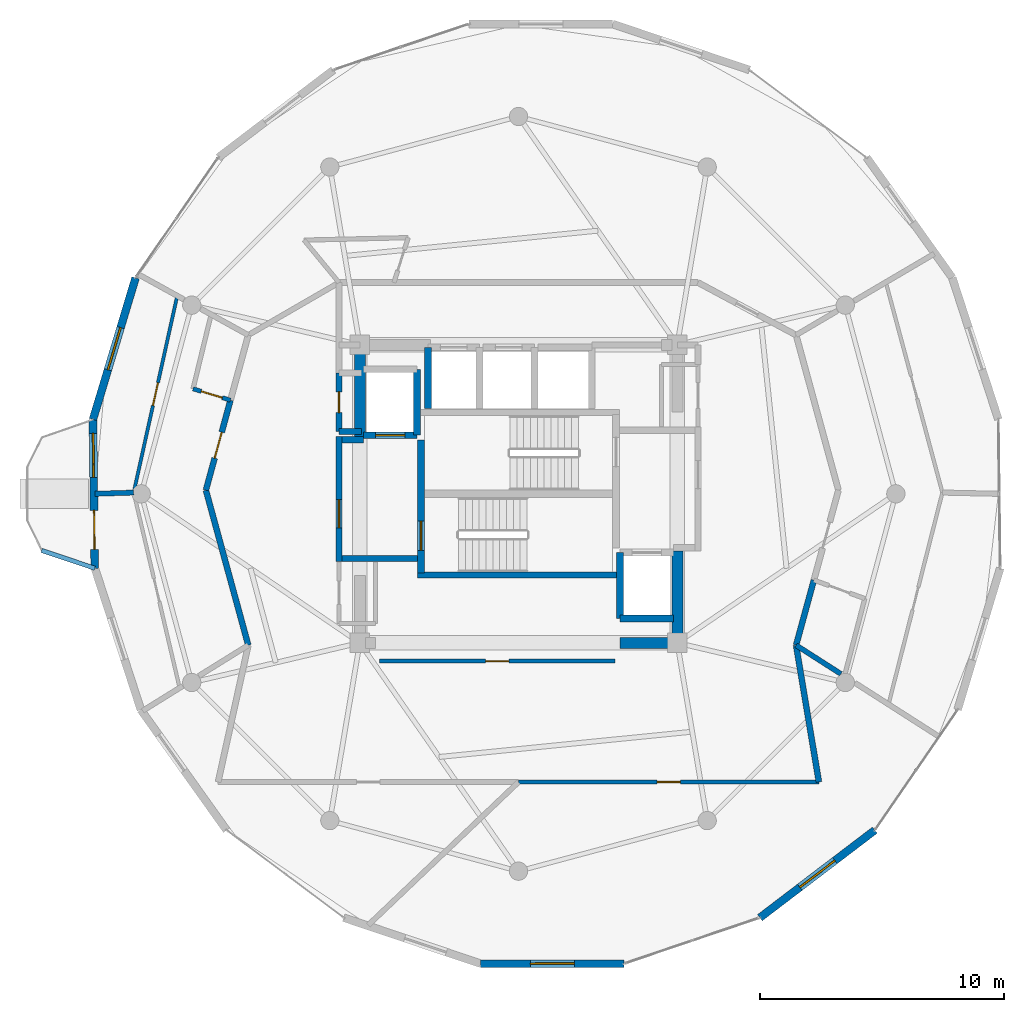
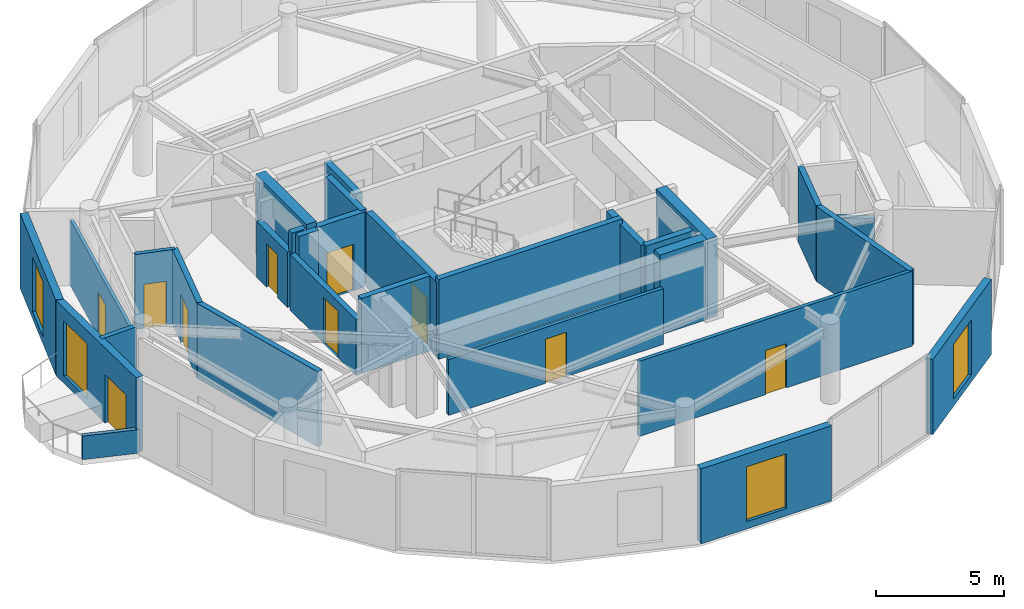
# One storey, part 14 of 18: 30 walls, 10 doors, 4 windows, 14 openings.
"""IFC4 building model written with IfcOpenShell, lengths in metres."""

from ifc_helpers import new_model, si_unit, direction, frame, frame_2d, origin, place, context, subcontext, project, spatial, rectangle, extrude, material, layer, layer_set, type_object, element, fill, save


model = new_model("IFC4")

# Units and contexts
model_context = context("Model", 3, precision=1e-05, world=origin(), true_north=direction((0.0, 1.0)))
body_context = subcontext(model_context, "Body", "Model", "MODEL_VIEW")
ifc_project = project(units=[si_unit("LENGTHUNIT", "METRE"), si_unit("AREAUNIT", "SQUARE_METRE"), si_unit("VOLUMEUNIT", "CUBIC_METRE"), si_unit("PLANEANGLEUNIT", "RADIAN"), si_unit("MASSUNIT", "GRAM", prefix="KILO")], contexts=[model_context])

# Site, building, storey
site_placement = place(None, origin())
site = spatial("IfcSite", under=ifc_project, at=site_placement, CompositionType="ELEMENT")
building_placement = place(site_placement, origin())
building = spatial("IfcBuilding", under=site, at=building_placement, Name="Solvirekh Grand Hotel", CompositionType="ELEMENT")
storey_placement = place(building_placement, frame((0.0, 0.0, 250.60009765625)))
storey = spatial("IfcBuildingStorey", under=building, at=storey_placement, Name="L65", CompositionType="ELEMENT", Elevation=250.60009765625)

# Walls
ifc_material_1 = material(Name="Concrete C50/60", Category="concrete")
ifc_layer_1 = layer(ifc_material_1, 0.35009765625)
ifc_layer_set_1 = layer_set([ifc_layer_1], Name="Concrete C50/60")
wall_type_1 = type_object("IfcWallType", Name="CoreDivWall_RC350", PredefinedType="SOLIDWALL", material=ifc_layer_set_1)
wall_1_placement = place(storey_placement, frame((-4.1298828125, -3.324951171875, 0.0), z_axis=(0.0, 0.0, 1.0), x_axis=(1.0, 0.0, 0.0)))
element("IfcWall", 1, at=wall_1_placement, inside=storey, type_object=wall_type_1, Name="L65 core stair box wall ST-S", PredefinedType="SOLIDWALL", context=body_context, shape_type="SweptSolid", body=[
    extrude(rectangle(XDim=8.259765625, YDim=0.25, at=frame_2d((4.1298828125, 0.0))), origin(), (0.0, 0.0, 1.0), 3.7998046875),
])
ifc_material_2 = material(Name="Concrete C40/50", Category="concrete")
ifc_layer_2 = layer(ifc_material_2, 0.280029296875)
ifc_layer_set_2 = layer_set([ifc_layer_2], Name="Concrete C40/50")
wall_type_2 = type_object("IfcWallType", Name="CoreShaftWall_RC280", PredefinedType="SOLIDWALL", material=ifc_layer_set_2)
wall_2_placement = place(storey_placement, frame((-3.699951171875, 6.0, 0.0), z_axis=(0.0, 0.0, 1.0), x_axis=(0.0, -1.0, 0.0)))
element("IfcWall", 2, at=wall_2_placement, inside=storey, type_object=wall_type_2, Name="L65 HP-1 hoistway W wall", PredefinedType="SOLIDWALL", context=body_context, shape_type="SweptSolid", body=[
    extrude(rectangle(XDim=2.5, YDim=0.280029296875, at=frame_2d((1.25, 0.0))), origin(), (0.0, 0.0, 1.0), 3.56982421875),
])

# Wall, opening, door
wall_3_placement = place(storey_placement, frame((-6.35009765625, 2.39990234375, 0.0), z_axis=(0.0, 0.0, 1.0), x_axis=(1.0, 0.0, 0.0)))
wall_3 = element("IfcWall", 3, at=wall_3_placement, inside=storey, type_object=wall_type_2, Name="L65 FL-1 hoistway S wall", PredefinedType="SOLIDWALL", context=body_context, shape_type="SweptSolid", body=[
    extrude(rectangle(XDim=2.2001953125, YDim=0.280029296875, at=frame_2d((1.10009765625, 0.0))), origin(), (0.0, 0.0, 1.0), 3.56982421875),
])
opening_1_placement = place(wall_3_placement, frame((0.5, 0.0, 0.0)))
opening_1 = element("IfcOpeningElement", 4, at=opening_1_placement, cuts=wall_3, Name="Opening LD02", PredefinedType="OPENING", context=body_context, shape_type="SweptSolid", body=[
    extrude(rectangle(XDim=1.199951171875, YDim=2.199951171875, at=frame_2d((0.60009765625, 1.10009765625))), frame((0.0, 0.14990234375, 0.0), z_axis=(0.0, -1.0, 0.0), x_axis=(1.0, 0.0, 0.0)), (0.0, 0.0, 1.0), 0.300048828125),
])
ifc_material_3 = material(Name="Fire-Rated Steel Door Assembly", Category="steel")
door_type_1 = type_object("IfcDoorType", Name="Door_LiftFF_1200X2200", OperationType="SLIDING_TO_LEFT", PredefinedType="DOOR", material=ifc_material_3)
door_1_placement = place(opening_1_placement, origin())
door_1 = element("IfcDoor", 5, at=door_1_placement, inside=storey, type_object=door_type_1, Name="L65 FL-1 sliding lift landing door", OperationType="SLIDING_TO_LEFT", OverallHeight=2.199951171875, OverallWidth=1.199951171875, PredefinedType="DOOR", context=body_context, shape_type="SweptSolid", body=[
    extrude(rectangle(XDim=1.199951171875, YDim=2.199951171875, at=frame_2d((0.60009765625, 1.10009765625))), frame((0.0, 0.02490234375, 0.0), z_axis=(0.0, -1.0, 0.0), x_axis=(1.0, 0.0, 0.0)), (0.0, 0.0, 1.0), 0.050048828125),
])
fill(opening_1, door_1)

# Walls
wall_4_placement = place(storey_placement, frame((-4.14990234375, 2.39990234375, 0.0), z_axis=(0.0, 0.0, 1.0), x_axis=(0.0, 1.0, 0.0)))
element("IfcWall", 6, at=wall_4_placement, inside=storey, type_object=wall_type_2, Name="L65 FL-1 hoistway E wall", PredefinedType="SOLIDWALL", context=body_context, shape_type="SweptSolid", body=[
    extrude(rectangle(XDim=2.7001953125, YDim=0.280029296875, at=frame_2d((1.35009765625, 0.0))), origin(), (0.0, 0.0, 1.0), 3.56982421875),
])
wall_5_placement = place(storey_placement, frame((4.14990234375, -5.10009765625, 0.0), z_axis=(0.0, 0.0, 1.0), x_axis=(1.0, 0.0, 0.0)))
element("IfcWall", 7, at=wall_5_placement, inside=storey, type_object=wall_type_2, Name="L65 FL-2 hoistway S wall", PredefinedType="SOLIDWALL", context=body_context, shape_type="SweptSolid", body=[
    extrude(rectangle(XDim=2.2001953125, YDim=0.280029296875, at=frame_2d((1.10009765625, 0.0))), origin(), (0.0, 0.0, 1.0), 3.56982421875),
])
wall_6_placement = place(storey_placement, frame((4.14990234375, -2.39990234375, 0.0), z_axis=(0.0, 0.0, 1.0), x_axis=(0.0, -1.0, 0.0)))
element("IfcWall", 8, at=wall_6_placement, inside=storey, type_object=wall_type_2, Name="L65 FL-2 hoistway W wall", PredefinedType="SOLIDWALL", context=body_context, shape_type="SweptSolid", body=[
    extrude(rectangle(XDim=2.7001953125, YDim=0.280029296875, at=frame_2d((1.35009765625, 0.0))), origin(), (0.0, 0.0, 1.0), 3.56982421875),
])

# Wall, opening, door
wall_7_placement = place(storey_placement, frame((-3.989990234375, -3.25, 0.0), z_axis=(0.0, 0.0, 1.0), x_axis=(0.0, 1.0, 0.0)))
wall_7 = element("IfcWall", 9, at=wall_7_placement, inside=storey, type_object=wall_type_2, Name="L65 west stair landing enclosure wall", PredefinedType="SOLIDWALL", context=body_context, shape_type="SweptSolid", body=[
    extrude(rectangle(XDim=5.4599609375, YDim=0.280029296875, at=frame_2d((2.72998046875, 0.0))), origin(), (0.0, 0.0, 1.0), 3.56982421875),
])
opening_2_placement = place(wall_7_placement, frame((0.93701171875, 0.0, 0.0)))
opening_2 = element("IfcOpeningElement", 10, at=opening_2_placement, cuts=wall_7, Name="Opening D05", PredefinedType="OPENING", context=body_context, shape_type="SweptSolid", body=[
    extrude(rectangle(XDim=1.199951171875, YDim=2.199951171875, at=frame_2d((0.60009765625, 1.10009765625))), frame((0.0, 0.14990234375, 0.0), z_axis=(0.0, -1.0, 0.0), x_axis=(1.0, 0.0, 0.0)), (0.0, 0.0, 1.0), 0.300048828125),
])
door_type_2 = type_object("IfcDoorType", Name="Door_StairCore_1200X2200", OperationType="NOTDEFINED", PredefinedType="DOOR", material=ifc_material_3)
door_2_placement = place(opening_2_placement, origin())
door_2 = element("IfcDoor", 11, at=door_2_placement, inside=storey, type_object=door_type_2, Name="L65 exit stair ST-1 fire door", OperationType="SINGLE_SWING_LEFT", OverallHeight=2.199951171875, OverallWidth=1.199951171875, PredefinedType="DOOR", context=body_context, shape_type="SweptSolid", body=[
    extrude(rectangle(XDim=1.199951171875, YDim=2.199951171875, at=frame_2d((0.60009765625, 1.10009765625))), frame((0.0, 0.02490234375, 0.0), z_axis=(0.0, -1.0, 0.0), x_axis=(1.0, 0.0, 0.0)), (0.0, 0.0, 1.0), 0.050048828125),
])
fill(opening_2, door_2)

# Walls
ifc_layer_3 = layer(ifc_material_1, 0.449951171875)
ifc_layer_set_3 = layer_set([ifc_layer_3], Name="Concrete C50/60")
wall_type_3 = type_object("IfcWallType", Name="CoreWall_RC450", PredefinedType="SHEAR", material=ifc_layer_set_3)
wall_8_placement = place(storey_placement, frame((4.14990234375, -6.10009765625, 0.0), z_axis=(0.0, 0.0, 1.0), x_axis=(1.0, 0.0, 0.0)))
element("IfcWall", 12, at=wall_8_placement, inside=storey, type_object=wall_type_3, Name="L65 core corner shear wall SE-S", PredefinedType="SHEAR", context=body_context, shape_type="SweptSolid", body=[
    extrude(rectangle(XDim=2.125, YDim=0.449951171875, at=frame_2d((1.0625, 0.0))), origin(), (0.0, 0.0, 1.0), 3.7998046875),
])
for number, where, z_axis, x_axis, name in (
    (13, (-6.5, 2.35009765625, 0.0), (0.0, 0.0, 1.0), (0.0, 1.0, 0.0), "L65 core corner shear wall WN-W"),
    (14, (6.5, -6.324951171875, 0.0), (0.0, 0.0, 1.0), (0.0, 1.0, 0.0), "L65 core corner shear wall ES-E"),
):
    element("IfcWall", number, at=place(storey_placement, frame(where, z_axis=z_axis, x_axis=x_axis)), inside=storey, type_object=wall_type_3, Name=name, PredefinedType="SHEAR", context=body_context, shape_type="SweptSolid", body=[
        extrude(rectangle(XDim=3.974853515625, YDim=0.449951171875, at=frame_2d((1.9873046875, 0.0))), origin(), (0.0, 0.0, 1.0), 3.7998046875),
    ])

# Wall, opening, window
ifc_material_4 = material(Name="Precast concrete C45/55", Category="concrete")
ifc_layer_4 = layer(ifc_material_4, 0.320068359375)
ifc_layer_set_4 = layer_set([ifc_layer_4], Name="Precast concrete C45/55")
wall_type_4 = type_object("IfcWallType", Name="ExtLobbyWall_RC320", PredefinedType="SOLIDWALL", material=ifc_layer_set_4)
wall_9_placement = place(storey_placement, frame((14.590087890625, -13.77294921875, 0.0), z_axis=(0.0, 0.0, 1.0), x_axis=(-0.795700701096, -0.605690015004, 0.0)))
wall_9 = element("IfcWall", 15, at=wall_9_placement, inside=storey, type_object=wall_type_4, Name="L65 exterior structural wall chord 2", PredefinedType="SOLIDWALL", context=body_context, shape_type="SweptSolid", body=[
    extrude(rectangle(XDim=5.91552734375, YDim=0.320068359375, at=frame_2d((2.957763671875, 0.0))), origin(), (0.0, 0.0, 1.0), 3.56982421875),
])
opening_3_placement = place(wall_9_placement, frame((2.05810546875, 0.0, 0.35009765625)))
opening_3 = element("IfcOpeningElement", 16, at=opening_3_placement, cuts=wall_9, Name="Opening W02", PredefinedType="OPENING", context=body_context, shape_type="SweptSolid", body=[
    extrude(rectangle(XDim=1.800048828125, YDim=2.60009765625, at=frame_2d((0.89990234375, 1.300048828125))), frame((0.0, 0.169921875, 0.0), z_axis=(0.0, -1.0, 0.0), x_axis=(1.0, 0.0, 0.0)), (0.0, 0.0, 1.0), 0.340087890625),
])
ifc_material_5 = material(Name="Low-E Tinted Bronze Laminated Glass", Category="aluminium")
window_type = type_object("IfcWindowType", Name="Win_LobbyExt_1800X2600", PartitioningType="SINGLE_PANEL", PredefinedType="WINDOW", material=ifc_material_5)
window_1_placement = place(opening_3_placement, origin())
window_1 = element("IfcWindow", 17, at=window_1_placement, inside=storey, type_object=window_type, Name="L65 panoramic bronze-framed window 2", OverallHeight=2.60009765625, OverallWidth=1.800048828125, PartitioningType="SINGLE_PANEL", PredefinedType="WINDOW", context=body_context, shape_type="SweptSolid", body=[
    extrude(rectangle(XDim=1.800048828125, YDim=2.60009765625, at=frame_2d((0.89990234375, 1.300048828125))), frame((0.0, 0.030029296875, 0.0), z_axis=(0.0, -1.0, 0.0), x_axis=(1.0, 0.0, 0.0)), (0.0, 0.0, 1.0), 0.06005859375),
])
fill(opening_3, window_1)

wall_10_placement = place(storey_placement, frame((-17.425048828125, 3.044921875, 0.0), z_axis=(0.0, 0.0, 1.0), x_axis=(0.288106265848, 0.957598443806, 0.0)))
wall_10 = element("IfcWall", 18, at=wall_10_placement, inside=storey, type_object=wall_type_4, Name="L65 exterior structural wall chord 14", PredefinedType="SOLIDWALL", context=body_context, shape_type="SweptSolid", body=[
    extrude(rectangle(XDim=6.0537109375, YDim=0.320068359375, at=frame_2d((3.02685546875, 0.0))), origin(), (0.0, 0.0, 1.0), 3.56982421875),
])
opening_4_placement = place(wall_10_placement, frame((2.126953125, 0.0, 0.35009765625)))
opening_4 = element("IfcOpeningElement", 19, at=opening_4_placement, cuts=wall_10, Name="Opening W02", PredefinedType="OPENING", context=body_context, shape_type="SweptSolid", body=[
    extrude(rectangle(XDim=1.800048828125, YDim=2.60009765625, at=frame_2d((0.89990234375, 1.300048828125))), frame((0.0, 0.169921875, 0.0), z_axis=(0.0, -1.0, 0.0), x_axis=(1.0, 0.0, 0.0)), (0.0, 0.0, 1.0), 0.340087890625),
])
window_2_placement = place(opening_4_placement, origin())
window_2 = element("IfcWindow", 20, at=window_2_placement, inside=storey, type_object=window_type, Name="L65 panoramic bronze-framed window 14", OverallHeight=2.60009765625, OverallWidth=1.800048828125, PartitioningType="SINGLE_PANEL", PredefinedType="WINDOW", context=body_context, shape_type="SweptSolid", body=[
    extrude(rectangle(XDim=1.800048828125, YDim=2.60009765625, at=frame_2d((0.89990234375, 1.300048828125))), frame((0.0, 0.030029296875, 0.0), z_axis=(0.0, -1.0, 0.0), x_axis=(1.0, 0.0, 0.0)), (0.0, 0.0, 1.0), 0.06005859375),
])
fill(opening_4, window_2)

# Wall, openings, door, window
wall_11_placement = place(storey_placement, frame((-17.35009765625, -3.049072265625, 0.0), z_axis=(0.0, 0.0, 1.0), x_axis=(-0.012298256588, 0.999924373583, 0.0)))
wall_11 = element("IfcWall", 21, at=wall_11_placement, inside=storey, type_object=wall_type_4, Name="L65 exterior structural wall chord 15", PredefinedType="SOLIDWALL", context=body_context, shape_type="SweptSolid", body=[
    extrude(rectangle(XDim=6.094482421875, YDim=0.320068359375, at=frame_2d((3.04736328125, 0.0))), origin(), (0.0, 0.0, 1.0), 3.56982421875),
])
opening_5_placement = place(wall_11_placement, frame((3.721923828125, 0.0, 0.35009765625)))
opening_5 = element("IfcOpeningElement", 22, at=opening_5_placement, cuts=wall_11, Name="Opening W02", PredefinedType="OPENING", context=body_context, shape_type="SweptSolid", body=[
    extrude(rectangle(XDim=1.800048828125, YDim=2.60009765625, at=frame_2d((0.89990234375, 1.300048828125))), frame((0.0, 0.169921875, 0.0), z_axis=(0.0, -1.0, 0.0), x_axis=(1.0, 0.0, 0.0)), (0.0, 0.0, 1.0), 0.340087890625),
])
opening_6_placement = place(wall_11_placement, frame((0.77392578125, 0.0, 0.0)))
opening_6 = element("IfcOpeningElement", 23, at=opening_6_placement, cuts=wall_11, Name="Opening D04", PredefinedType="OPENING", context=body_context, shape_type="SweptSolid", body=[
    extrude(rectangle(XDim=1.60009765625, YDim=2.300048828125, at=frame_2d((0.800048828125, 1.14990234375))), frame((0.0, 0.169921875, 0.0), z_axis=(0.0, -1.0, 0.0), x_axis=(1.0, 0.0, 0.0)), (0.0, 0.0, 1.0), 0.340087890625),
])
ifc_material_6 = material(Name="Anodized Bronze Aluminium 6063-T6", Category="aluminium")
door_type_3 = type_object("IfcDoorType", Name="Door_ExtTerrace_1600X2300", OperationType="NOTDEFINED", PredefinedType="DOOR", material=ifc_material_6)
door_3_placement = place(opening_6_placement, origin())
door_3 = element("IfcDoor", 24, at=door_3_placement, inside=storey, type_object=door_type_3, Name="L65 West horn sky-garden terrace door (15)", OperationType="SINGLE_SWING_RIGHT", OverallHeight=2.300048828125, OverallWidth=1.60009765625, PredefinedType="DOOR", context=body_context, shape_type="SweptSolid", body=[
    extrude(rectangle(XDim=1.60009765625, YDim=2.300048828125, at=frame_2d((0.800048828125, 1.14990234375))), frame((0.0, 0.02490234375, 0.0), z_axis=(0.0, -1.0, 0.0), x_axis=(1.0, 0.0, 0.0)), (0.0, 0.0, 1.0), 0.050048828125),
])
fill(opening_6, door_3)
window_3_placement = place(opening_5_placement, origin())
window_3 = element("IfcWindow", 25, at=window_3_placement, inside=storey, type_object=window_type, Name="L65 exterior side window 15", OverallHeight=2.60009765625, OverallWidth=1.800048828125, PartitioningType="SINGLE_PANEL", PredefinedType="WINDOW", context=body_context, shape_type="SweptSolid", body=[
    extrude(rectangle(XDim=1.800048828125, YDim=2.60009765625, at=frame_2d((0.89990234375, 1.300048828125))), frame((0.0, 0.030029296875, 0.0), z_axis=(0.0, -1.0, 0.0), x_axis=(1.0, 0.0, 0.0)), (0.0, 0.0, 1.0), 0.06005859375),
])
fill(opening_5, window_3)

# Wall, opening, window
wall_12_placement = place(storey_placement, frame((4.321044921875, -19.239990234375, 0.0), z_axis=(0.0, 0.0, 1.0), x_axis=(-0.999999986171, -0.000166306334, 0.0)))
wall_12 = element("IfcWall", 26, at=wall_12_placement, inside=storey, type_object=wall_type_4, Name="L65 exterior structural wall chord 20", PredefinedType="SOLIDWALL", context=body_context, shape_type="SweptSolid", body=[
    extrude(rectangle(XDim=5.8720703125, YDim=0.320068359375, at=frame_2d((2.93603515625, 0.0))), origin(), (0.0, 0.0, 1.0), 3.56982421875),
])
opening_7_placement = place(wall_12_placement, frame((2.035888671875, 0.0, 0.35009765625)))
opening_7 = element("IfcOpeningElement", 27, at=opening_7_placement, cuts=wall_12, Name="Opening W02", PredefinedType="OPENING", context=body_context, shape_type="SweptSolid", body=[
    extrude(rectangle(XDim=1.800048828125, YDim=2.60009765625, at=frame_2d((0.89990234375, 1.300048828125))), frame((0.0, 0.169921875, 0.0), z_axis=(0.0, -1.0, 0.0), x_axis=(1.0, 0.0, 0.0)), (0.0, 0.0, 1.0), 0.340087890625),
])
window_4_placement = place(opening_7_placement, origin())
window_4 = element("IfcWindow", 28, at=window_4_placement, inside=storey, type_object=window_type, Name="L65 panoramic bronze-framed window 20", OverallHeight=2.60009765625, OverallWidth=1.800048828125, PartitioningType="SINGLE_PANEL", PredefinedType="WINDOW", context=body_context, shape_type="SweptSolid", body=[
    extrude(rectangle(XDim=1.800048828125, YDim=2.60009765625, at=frame_2d((0.89990234375, 1.300048828125))), frame((0.0, 0.030029296875, 0.0), z_axis=(0.0, -1.0, 0.0), x_axis=(1.0, 0.0, 0.0)), (0.0, 0.0, 1.0), 0.06005859375),
])
fill(opening_7, window_4)

# Wall
ifc_layer_5 = layer(ifc_material_4, 0.179931640625)
ifc_layer_set_5 = layer_set([ifc_layer_5], Name="Precast concrete C45/55")
wall_type_5 = type_object("IfcWallType", Name="ExtPlanterWall_180", PredefinedType="PARAPET", material=ifc_layer_set_5)
wall_13_placement = place(storey_placement, frame((-19.52490234375, -2.318115234375, 0.0), z_axis=(0.0, 0.0, 1.0), x_axis=(0.947892929032, -0.318589069322, 0.0)))
element("IfcWall", 29, at=wall_13_placement, inside=storey, type_object=wall_type_5, Name="L65 horn sky-garden planter parapet", PredefinedType="PARAPET", context=body_context, shape_type="SweptSolid", body=[
    extrude(rectangle(XDim=2.29443359375, YDim=0.179931640625, at=frame_2d((1.147216796875, 0.0))), origin(), (0.0, 0.0, 1.0), 1.119873046875),
])

# Wall, opening, door
ifc_material_7 = material(Name="Acoustic Gypsum Partition Assembly")
ifc_layer_6 = layer(ifc_material_7, 0.1650390625)
ifc_layer_set_6 = layer_set([ifc_layer_6], Name="Acoustic Gypsum Partition Assembly")
wall_type_6 = type_object("IfcWallType", Name="Part_BOH_165", PredefinedType="PARTITIONING", material=ifc_layer_set_6)
wall_14_placement = place(storey_placement, frame((-5.699951171875, -6.85009765625, 0.0), z_axis=(0.0, 0.0, 1.0), x_axis=(1.0, 0.0, 0.0)))
wall_14 = element("IfcWall", 30, at=wall_14_placement, inside=storey, type_object=wall_type_6, Name="L65 Housekeeping & Linen Store wall 1", PredefinedType="PARTITIONING", context=body_context, shape_type="SweptSolid", body=[
    extrude(rectangle(XDim=9.64990234375, YDim=0.1650390625, at=frame_2d((4.824951171875, 0.0))), origin(), (0.0, 0.0, 1.0), 2.65478515625),
])
opening_8_placement = place(wall_14_placement, frame((4.35009765625, 0.0, 0.0)))
opening_8 = element("IfcOpeningElement", 31, at=opening_8_placement, cuts=wall_14, Name="Opening D10", PredefinedType="OPENING", context=body_context, shape_type="SweptSolid", body=[
    extrude(rectangle(XDim=0.949951171875, YDim=2.10009765625, at=frame_2d((0.47509765625, 1.050048828125))), frame((0.0, 0.092529296875, 0.0), z_axis=(0.0, -1.0, 0.0), x_axis=(1.0, 0.0, 0.0)), (0.0, 0.0, 1.0), 0.18505859375),
])
door_type_4 = type_object("IfcDoorType", Name="Door_RoomInt_950X2100", OperationType="NOTDEFINED", PredefinedType="DOOR", material=ifc_material_6)
door_4_placement = place(opening_8_placement, origin())
door_4 = element("IfcDoor", 32, at=door_4_placement, inside=storey, type_object=door_type_4, Name="L65 Housekeeping & Linen Store door", OperationType="SINGLE_SWING_RIGHT", OverallHeight=2.10009765625, OverallWidth=0.949951171875, PredefinedType="DOOR", context=body_context, shape_type="SweptSolid", body=[
    extrude(rectangle(XDim=0.949951171875, YDim=2.10009765625, at=frame_2d((0.47509765625, 1.050048828125))), frame((0.0, 0.02490234375, 0.0), z_axis=(0.0, -1.0, 0.0), x_axis=(1.0, 0.0, 0.0)), (0.0, 0.0, 1.0), 0.050048828125),
])
fill(opening_8, door_4)

wall_15_placement = place(storey_placement, frame((0.0, -11.800048828125, 0.0), z_axis=(0.0, 0.0, 1.0), x_axis=(1.0, 0.0, 0.0)))
wall_15 = element("IfcWall", 33, at=wall_15_placement, inside=storey, type_object=wall_type_6, Name="L65 L65 Butler Valet & Linen Steward Room entrance wall", PredefinedType="PARTITIONING", context=body_context, shape_type="SweptSolid", body=[
    extrude(rectangle(XDim=12.300048828125, YDim=0.1650390625, at=frame_2d((6.14990234375, 0.0))), origin(), (0.0, 0.0, 1.0), 3.56982421875),
])
opening_9_placement = place(wall_15_placement, frame((5.675048828125, 0.0, 0.0)))
opening_9 = element("IfcOpeningElement", 34, at=opening_9_placement, cuts=wall_15, Name="Opening D10", PredefinedType="OPENING", context=body_context, shape_type="SweptSolid", body=[
    extrude(rectangle(XDim=0.949951171875, YDim=2.10009765625, at=frame_2d((0.47509765625, 1.050048828125))), frame((0.0, 0.092529296875, 0.0), z_axis=(0.0, -1.0, 0.0), x_axis=(1.0, 0.0, 0.0)), (0.0, 0.0, 1.0), 0.18505859375),
])
door_5_placement = place(opening_9_placement, origin())
door_5 = element("IfcDoor", 35, at=door_5_placement, inside=storey, type_object=door_type_4, Name="L65 L65 Butler Valet & Linen Steward Room entrance door", OperationType="SINGLE_SWING_RIGHT", OverallHeight=2.10009765625, OverallWidth=0.949951171875, PredefinedType="DOOR", context=body_context, shape_type="SweptSolid", body=[
    extrude(rectangle(XDim=0.949951171875, YDim=2.10009765625, at=frame_2d((0.47509765625, 1.050048828125))), frame((0.0, 0.02490234375, 0.0), z_axis=(0.0, -1.0, 0.0), x_axis=(1.0, 0.0, 0.0)), (0.0, 0.0, 1.0), 0.050048828125),
])
fill(opening_9, door_5)

ifc_layer_7 = layer(ifc_material_7, 0.239990234375)
ifc_layer_set_7 = layer_set([ifc_layer_7], Name="Acoustic Gypsum Partition Assembly")
wall_type_7 = type_object("IfcWallType", Name="Part_Corridor_240", PredefinedType="PARTITIONING", material=ifc_layer_set_7)
wall_16_placement = place(storey_placement, frame((-7.35009765625, -2.780029296875, 0.0), z_axis=(0.0, 0.0, 1.0), x_axis=(0.0, 1.0, 0.0)))
wall_16 = element("IfcWall", 36, at=wall_16_placement, inside=storey, type_object=wall_type_7, Name="L65 west firefighting lobby smoke screen wall", PredefinedType="PARTITIONING", context=body_context, shape_type="SweptSolid", body=[
    extrude(rectangle(XDim=5.1201171875, YDim=0.239990234375, at=frame_2d((2.56005859375, 0.0))), origin(), (0.0, 0.0, 1.0), 2.65478515625),
])
opening_10_placement = place(wall_16_placement, frame((1.388916015625, 0.0, 0.0)))
opening_10 = element("IfcOpeningElement", 37, at=opening_10_placement, cuts=wall_16, Name="Opening D06", PredefinedType="OPENING", context=body_context, shape_type="SweptSolid", body=[
    extrude(rectangle(XDim=1.14990234375, YDim=2.199951171875, at=frame_2d((0.574951171875, 1.10009765625))), frame((0.0, 0.1298828125, 0.0), z_axis=(0.0, -1.0, 0.0), x_axis=(1.0, 0.0, 0.0)), (0.0, 0.0, 1.0), 0.260009765625),
])
door_type_5 = type_object("IfcDoorType", Name="Door_FFLobby_1150X2200", OperationType="NOTDEFINED", PredefinedType="DOOR", material=ifc_material_3)
door_6_placement = place(opening_10_placement, origin())
door_6 = element("IfcDoor", 38, at=door_6_placement, inside=storey, type_object=door_type_5, Name="L65 west firefighting lobby smoke door", OperationType="SINGLE_SWING_LEFT", OverallHeight=2.199951171875, OverallWidth=1.14990234375, PredefinedType="DOOR", context=body_context, shape_type="SweptSolid", body=[
    extrude(rectangle(XDim=1.14990234375, YDim=2.199951171875, at=frame_2d((0.574951171875, 1.10009765625))), frame((0.0, 0.02490234375, 0.0), z_axis=(0.0, -1.0, 0.0), x_axis=(1.0, 0.0, 0.0)), (0.0, 0.0, 1.0), 0.050048828125),
])
fill(opening_10, door_6)

# Wall
wall_17_placement = place(storey_placement, frame((-12.800048828125, 0.14990234375, 0.0), z_axis=(0.0, 0.0, 1.0), x_axis=(0.263588113382, -0.964635323054, 0.0)))
element("IfcWall", 39, at=wall_17_placement, inside=storey, type_object=wall_type_7, Name="L65 Executive Suite 6702 Living Room corridor wall 1", PredefinedType="PARTITIONING", context=body_context, shape_type="SweptSolid", body=[
    extrude(rectangle(XDim=6.582763671875, YDim=0.239990234375, at=frame_2d((3.29150390625, 0.0))), origin(), (0.0, 0.0, 1.0), 3.56982421875),
])

# Wall, opening, door
wall_18_placement = place(storey_placement, frame((-11.7939453125, 3.8330078125, 0.0), z_axis=(0.0, 0.0, 1.0), x_axis=(-0.263512359615, -0.964656019693, 0.0)))
wall_18 = element("IfcWall", 40, at=wall_18_placement, inside=storey, type_object=wall_type_7, Name="L65 Executive Suite 6702 Living Room entrance wall", PredefinedType="PARTITIONING", context=body_context, shape_type="SweptSolid", body=[
    extrude(rectangle(XDim=3.818115234375, YDim=0.239990234375, at=frame_2d((1.9091796875, 0.0))), origin(), (0.0, 0.0, 1.0), 3.56982421875),
])
opening_11_placement = place(wall_18_placement, frame((1.35888671875, 0.0, 0.0)))
opening_11 = element("IfcOpeningElement", 41, at=opening_11_placement, cuts=wall_18, Name="Opening D08", PredefinedType="OPENING", context=body_context, shape_type="SweptSolid", body=[
    extrude(rectangle(XDim=1.10009765625, YDim=2.300048828125, at=frame_2d((0.550048828125, 1.14990234375))), frame((0.0, 0.1298828125, 0.0), z_axis=(0.0, -1.0, 0.0), x_axis=(1.0, 0.0, 0.0)), (0.0, 0.0, 1.0), 0.260009765625),
])
door_type_6 = type_object("IfcDoorType", Name="Door_SuiteEntry_1100X2300", OperationType="NOTDEFINED", PredefinedType="DOOR", material=ifc_material_3)
door_7_placement = place(opening_11_placement, origin())
door_7 = element("IfcDoor", 42, at=door_7_placement, inside=storey, type_object=door_type_6, Name="L65 Executive Suite 6702 Living Room entrance door", OperationType="SINGLE_SWING_RIGHT", OverallHeight=2.300048828125, OverallWidth=1.10009765625, PredefinedType="DOOR", context=body_context, shape_type="SweptSolid", body=[
    extrude(rectangle(XDim=1.10009765625, YDim=2.300048828125, at=frame_2d((0.550048828125, 1.14990234375))), frame((0.0, 0.02490234375, 0.0), z_axis=(0.0, -1.0, 0.0), x_axis=(1.0, 0.0, 0.0)), (0.0, 0.0, 1.0), 0.050048828125),
])
fill(opening_11, door_7)

# Walls
wall_19_placement = place(storey_placement, frame((11.364990234375, -6.199951171875, 0.0), z_axis=(0.0, 0.0, 1.0), x_axis=(0.263670269996, 0.964612869871, 0.0)))
element("IfcWall", 43, at=wall_19_placement, inside=storey, type_object=wall_type_7, Name="L65 En-suite Bathroom 6703 corridor backing wall", PredefinedType="PARTITIONING", context=body_context, shape_type="SweptSolid", body=[
    extrude(rectangle(XDim=2.764892578125, YDim=0.239990234375, at=frame_2d((1.38232421875, 0.0))), origin(), (0.0, 0.0, 1.0), 3.56982421875),
])
wall_20_placement = place(storey_placement, frame((12.300048828125, -11.800048828125, 0.0), z_axis=(0.0, 0.0, 1.0), x_axis=(-0.164691848211, 0.986345068996, 0.0)))
element("IfcWall", 44, at=wall_20_placement, inside=storey, type_object=wall_type_7, Name="L65 L65 Butler Valet & Linen Steward Room corridor wall 1", PredefinedType="PARTITIONING", context=body_context, shape_type="SweptSolid", body=[
    extrude(rectangle(XDim=5.677734375, YDim=0.239990234375, at=frame_2d((2.8388671875, 0.0))), origin(), (0.0, 0.0, 1.0), 3.56982421875),
])
ifc_layer_8 = layer(ifc_material_7, 0.260009765625)
ifc_layer_set_8 = layer_set([ifc_layer_8], Name="Acoustic Gypsum Partition Assembly")
wall_type_8 = type_object("IfcWallType", Name="Part_LobbyFF_260", PredefinedType="PARTITIONING", material=ifc_layer_set_8)
wall_21_placement = place(storey_placement, frame((-7.22509765625, -2.64990234375, 0.0), z_axis=(0.0, 0.0, 1.0), x_axis=(1.0, 0.0, 0.0)))
element("IfcWall", 45, at=wall_21_placement, inside=storey, type_object=wall_type_8, Name="L65 west firefighting lobby south partition", PredefinedType="PARTITIONING", context=body_context, shape_type="SweptSolid", body=[
    extrude(rectangle(XDim=3.09521484375, YDim=0.260009765625, at=frame_2d((1.547607421875, 0.0))), origin(), (0.0, 0.0, 1.0), 3.56982421875),
])
wall_22_placement = place(storey_placement, frame((-7.22509765625, 2.2099609375, 0.0), z_axis=(0.0, 0.0, 1.0), x_axis=(1.0, 0.0, 0.0)))
element("IfcWall", 46, at=wall_22_placement, inside=storey, type_object=wall_type_8, Name="L65 west firefighting lobby NW cheek", PredefinedType="PARTITIONING", context=body_context, shape_type="SweptSolid", body=[
    extrude(rectangle(XDim=0.875, YDim=0.260009765625, at=frame_2d((0.4375, 0.0))), origin(), (0.0, 0.0, 1.0), 3.56982421875),
])
wall_23_placement = place(storey_placement, frame((-7.35009765625, 2.550048828125, 0.0), z_axis=(0.0, 0.0, 1.0), x_axis=(1.0, 0.0, 0.0)))
element("IfcWall", 47, at=wall_23_placement, inside=storey, type_object=wall_type_8, Name="L65 NW telecom metering cupboard south wall", PredefinedType="PARTITIONING", context=body_context, shape_type="SweptSolid", body=[
    extrude(rectangle(XDim=0.93017578125, YDim=0.260009765625, at=frame_2d((0.465087890625, 0.0))), origin(), (0.0, 0.0, 1.0), 3.56982421875),
])

# Wall, opening, door
wall_24_placement = place(storey_placement, frame((-7.35009765625, 2.550048828125, 0.0), z_axis=(0.0, 0.0, 1.0), x_axis=(0.0, 1.0, 0.0)))
wall_24 = element("IfcWall", 48, at=wall_24_placement, inside=storey, type_object=wall_type_8, Name="L65 NW telecom metering cupboard access wall", PredefinedType="PARTITIONING", context=body_context, shape_type="SweptSolid", body=[
    extrude(rectangle(XDim=2.39990234375, YDim=0.260009765625, at=frame_2d((1.199951171875, 0.0))), origin(), (0.0, 0.0, 1.0), 2.65478515625),
])
opening_12_placement = place(wall_24_placement, frame((0.77490234375, 0.0, 0.0)))
opening_12 = element("IfcOpeningElement", 49, at=opening_12_placement, cuts=wall_24, Name="Opening D13", PredefinedType="OPENING", context=body_context, shape_type="SweptSolid", body=[
    extrude(rectangle(XDim=0.85009765625, YDim=2.050048828125, at=frame_2d((0.425048828125, 1.02490234375))), frame((0.0, 0.14013671875, 0.0), z_axis=(0.0, -1.0, 0.0), x_axis=(1.0, 0.0, 0.0)), (0.0, 0.0, 1.0), 0.280029296875),
])
door_type_7 = type_object("IfcDoorType", Name="Door_RiserShaft_850X2050", OperationType="NOTDEFINED", PredefinedType="DOOR", material=ifc_material_3)
door_8_placement = place(opening_12_placement, origin())
door_8 = element("IfcDoor", 50, at=door_8_placement, inside=storey, type_object=door_type_7, Name="L65 telecom metering cupboard access door", OperationType="SINGLE_SWING_LEFT", OverallHeight=2.050048828125, OverallWidth=0.85009765625, PredefinedType="DOOR", context=body_context, shape_type="SweptSolid", body=[
    extrude(rectangle(XDim=0.85009765625, YDim=2.050048828125, at=frame_2d((0.425048828125, 1.02490234375))), frame((0.0, 0.02490234375, 0.0), z_axis=(0.0, -1.0, 0.0), x_axis=(1.0, 0.0, 0.0)), (0.0, 0.0, 1.0), 0.050048828125),
])
fill(opening_12, door_8)

ifc_layer_9 = layer(ifc_material_7, 0.135009765625)
ifc_layer_set_9 = layer_set([ifc_layer_9], Name="Acoustic Gypsum Partition Assembly")
wall_type_9 = type_object("IfcWallType", Name="Part_RoomInt_135", PredefinedType="PARTITIONING", material=ifc_layer_set_9)
wall_25_placement = place(storey_placement, frame((-13.97509765625, 8.10693359375, 0.0), z_axis=(0.0, 0.0, 1.0), x_axis=(-0.215893129174, -0.97641699943, 0.0)))
wall_25 = element("IfcWall", 51, at=wall_25_placement, inside=storey, type_object=wall_type_9, Name="L65 Executive Suite 6702 Living Room bedroom screen wall", PredefinedType="PARTITIONING", context=body_context, shape_type="SweptSolid", body=[
    extrude(rectangle(XDim=8.24951171875, YDim=0.135009765625, at=frame_2d((4.124755859375, 0.0))), origin(), (0.0, 0.0, 1.0), 3.138916015625),
])
opening_13_placement = place(wall_25_placement, frame((3.64990234375, 0.0, 0.0)))
opening_13 = element("IfcOpeningElement", 52, at=opening_13_placement, cuts=wall_25, Name="Opening D10", PredefinedType="OPENING", context=body_context, shape_type="SweptSolid", body=[
    extrude(rectangle(XDim=0.949951171875, YDim=2.10009765625, at=frame_2d((0.47509765625, 1.050048828125))), frame((0.0, 0.07763671875, 0.0), z_axis=(0.0, -1.0, 0.0), x_axis=(1.0, 0.0, 0.0)), (0.0, 0.0, 1.0), 0.155029296875),
])
door_9_placement = place(opening_13_placement, origin())
door_9 = element("IfcDoor", 53, at=door_9_placement, inside=storey, type_object=door_type_4, Name="L65 Executive Suite 6702 Living Room master bedroom door", OperationType="SINGLE_SWING_LEFT", OverallHeight=2.10009765625, OverallWidth=0.949951171875, PredefinedType="DOOR", context=body_context, shape_type="SweptSolid", body=[
    extrude(rectangle(XDim=0.949951171875, YDim=2.10009765625, at=frame_2d((0.47509765625, 1.050048828125))), frame((0.0, 0.02490234375, 0.0), z_axis=(0.0, -1.0, 0.0), x_axis=(1.0, 0.0, 0.0)), (0.0, 0.0, 1.0), 0.050048828125),
])
fill(opening_13, door_9)

# Walls
ifc_layer_10 = layer(ifc_material_7, 0.2099609375)
ifc_layer_set_10 = layer_set([ifc_layer_10], Name="Acoustic Gypsum Partition Assembly")
wall_type_10 = type_object("IfcWallType", Name="Part_SuiteDemise_210", PredefinedType="PARTITIONING", material=ifc_layer_set_10)
wall_26_placement = place(storey_placement, frame((11.364990234375, -6.199951171875, 0.0), z_axis=(0.0, 0.0, 1.0), x_axis=(0.842537994554, -0.538636916422, 0.0)))
element("IfcWall", 54, at=wall_26_placement, inside=storey, type_object=wall_type_10, Name="L65 suite radial wall 12 (A)", PredefinedType="PARTITIONING", context=body_context, shape_type="SweptSolid", body=[
    extrude(rectangle(XDim=2.177978515625, YDim=0.2099609375, at=frame_2d((1.0888671875, 0.0))), origin(), (0.0, 0.0, 1.0), 3.0859375),
])
wall_27_placement = place(storey_placement, frame((-15.756103515625, 0.052001953125, 0.0), z_axis=(0.0, 0.0, 1.0), x_axis=(-0.999466804389, -0.032651292843, 0.0)))
element("IfcWall", 55, at=wall_27_placement, inside=storey, type_object=wall_type_10, Name="L65 Executive Suite 6702 Living Room dividing partition 1", PredefinedType="PARTITIONING", context=body_context, shape_type="SweptSolid", body=[
    extrude(rectangle(XDim=1.592529296875, YDim=0.2099609375, at=frame_2d((0.79638671875, 0.0))), origin(), (0.0, 0.0, 1.0), 3.56982421875),
])

# Wall, opening, door
ifc_layer_11 = layer(ifc_material_7, 0.175048828125)
ifc_layer_set_11 = layer_set([ifc_layer_11], Name="Acoustic Gypsum Partition Assembly")
wall_type_11 = type_object("IfcWallType", Name="Plumb_Ensuite_175", PredefinedType="PLUMBINGWALL", material=ifc_layer_set_11)
wall_28_placement = place(storey_placement, frame((-11.7939453125, 3.8330078125, 0.0), z_axis=(0.0, 0.0, 1.0), x_axis=(-0.956707110137, 0.29105241008, 0.0)))
wall_28 = element("IfcWall", 56, at=wall_28_placement, inside=storey, type_object=wall_type_11, Name="L65 En-suite Bathroom 6702 entry plumbing wall", PredefinedType="PLUMBINGWALL", context=body_context, shape_type="SweptSolid", body=[
    extrude(rectangle(XDim=1.601318359375, YDim=0.175048828125, at=frame_2d((0.80078125, 0.0))), origin(), (0.0, 0.0, 1.0), 3.56982421875),
])
opening_14_placement = place(wall_28_placement, frame((0.35107421875, 0.0, 0.0)))
opening_14 = element("IfcOpeningElement", 57, at=opening_14_placement, cuts=wall_28, Name="Opening D09", PredefinedType="OPENING", context=body_context, shape_type="SweptSolid", body=[
    extrude(rectangle(XDim=0.89990234375, YDim=2.10009765625, at=frame_2d((0.449951171875, 1.050048828125))), frame((0.0, 0.09765625, 0.0), z_axis=(0.0, -1.0, 0.0), x_axis=(1.0, 0.0, 0.0)), (0.0, 0.0, 1.0), 0.195068359375),
])
door_type_8 = type_object("IfcDoorType", Name="Door_Ensuite_900X2100", OperationType="NOTDEFINED", PredefinedType="DOOR", material=ifc_material_6)
door_10_placement = place(opening_14_placement, origin())
door_10 = element("IfcDoor", 58, at=door_10_placement, inside=storey, type_object=door_type_8, Name="L65 En-suite Bathroom 6702 door", OperationType="SINGLE_SWING_LEFT", OverallHeight=2.10009765625, OverallWidth=0.89990234375, PredefinedType="DOOR", context=body_context, shape_type="SweptSolid", body=[
    extrude(rectangle(XDim=0.89990234375, YDim=2.10009765625, at=frame_2d((0.449951171875, 1.050048828125))), frame((0.0, 0.02490234375, 0.0), z_axis=(0.0, -1.0, 0.0), x_axis=(1.0, 0.0, 0.0)), (0.0, 0.0, 1.0), 0.050048828125),
])
fill(opening_14, door_10)

save(model, "model.ifc")
